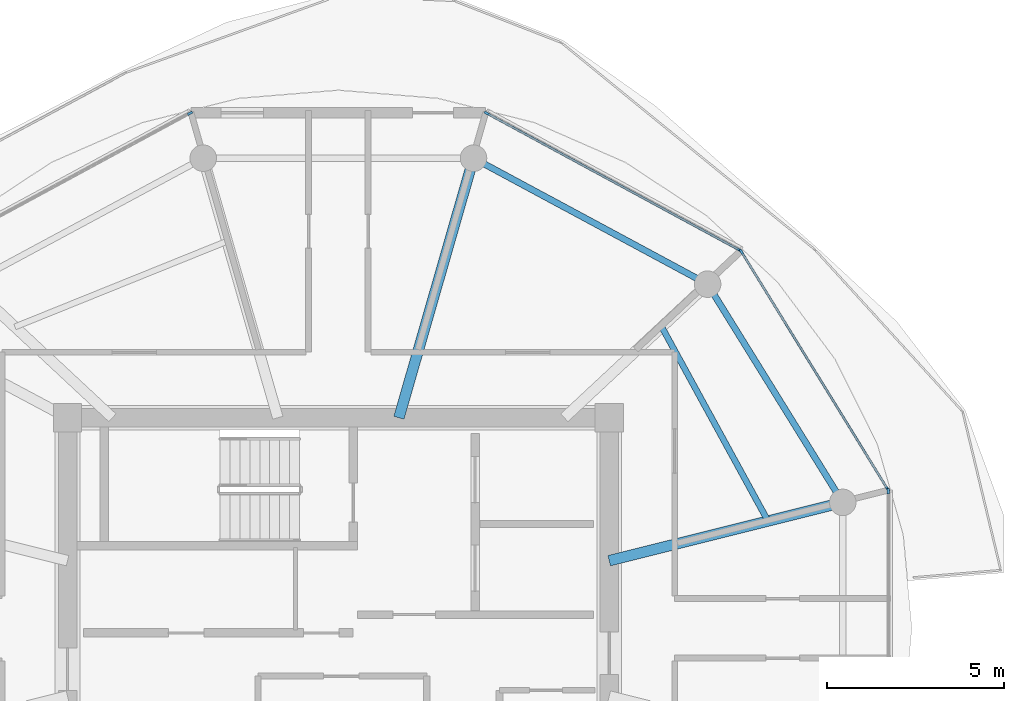
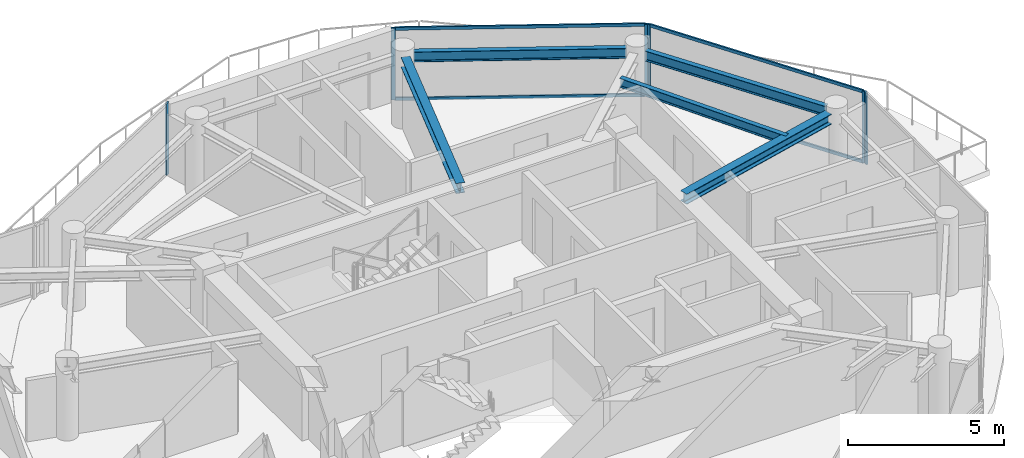
# One storey, part 11 of 23: 10 members, 5 beams, 4 elements without a shape of their own.
"""IFC4 building model written with IfcOpenShell, lengths in metres."""

from ifc_helpers import new_model, si_unit, direction, frame, origin, origin_2d, place, context, subcontext, project, spatial, rectangle, i_section, extrude, source, transform, mapped, material, layer, layer_set, material_profile, profile_set, type_object, type_shapes, element, aggregate, save


model = new_model("IFC4")

# Units and contexts
model_context = context("Model", 3, precision=1e-05, world=origin(), true_north=direction((0.0, 1.0)))
body_context = subcontext(model_context, "Body", "Model", "MODEL_VIEW")
ifc_project = project(units=[si_unit("LENGTHUNIT", "METRE"), si_unit("AREAUNIT", "SQUARE_METRE"), si_unit("VOLUMEUNIT", "CUBIC_METRE"), si_unit("PLANEANGLEUNIT", "RADIAN"), si_unit("MASSUNIT", "GRAM", prefix="KILO")], contexts=[model_context])

# Site, building, storey
site_placement = place(None, origin())
site = spatial("IfcSite", under=ifc_project, at=site_placement, CompositionType="ELEMENT")
building_placement = place(site_placement, origin())
building = spatial("IfcBuilding", under=site, at=building_placement, Name="Norrkilde Senior Care Towers", CompositionType="ELEMENT")
storey_placement = place(building_placement, frame((0.0, 0.0, 229.14990234375)))
storey = spatial("IfcBuildingStorey", under=building, at=storey_placement, Name="L71", CompositionType="ELEMENT", Elevation=229.14990234375)

# Beams
ifc_material_1 = material(Name="Steel S355", Category="steel")
ifc_material_profile_1 = material_profile(ifc_material_1, i_section(OverallWidth=0.179931640625, OverallDepth=0.39990234375, WebThickness=0.008544921875, FlangeThickness=0.013427734375, FilletRadius=0.02099609375, at=origin_2d()), Name="IPE 400")
ifc_profile_set_1 = profile_set([ifc_material_profile_1], Name="Steel S355")
beam_type_1 = type_object("IfcBeamType", Name="Perimeter Ring Spandrel Z4 IPE400", PredefinedType="SPANDREL", material=ifc_profile_set_1)
shared_shape_1 = source(origin(), body_context, "Body", "SweptSolid", [
    extrude(i_section(OverallWidth=0.179931640625, OverallDepth=0.39990234375, WebThickness=0.008544921875, FlangeThickness=0.013427734375, FilletRadius=0.02099609375, at=origin_2d()), origin(), (0.0, 0.0, 1.0), 6.58056640625),
])
beam_1_placement = place(storey_placement, frame((42.071044921875, 3.843505859375, 2.610107421875), z_axis=(-0.526529583789, 0.850156807533, 0.0), x_axis=(-0.850156807533, -0.526529583789, 0.0)))
element("IfcBeam", 1, at=beam_1_placement, inside=storey, type_object=beam_type_1, Name="L71 Drum E Perimeter Spandrel 01", PredefinedType="SPANDREL", context=body_context, shape_type="MappedRepresentation", body=[
    mapped(shared_shape_1, transform((0.0, 0.0, 0.0), x_axis=(1.0, 0.0, 0.0), y_axis=(0.0, 1.0, 0.0), z_axis=(0.0, 0.0, 1.0), scale=1.0)),
])
ifc_material_profile_2 = material_profile(ifc_material_1, i_section(OverallWidth=0.300048828125, OverallDepth=0.39990234375, WebThickness=0.013427734375, FlangeThickness=0.02392578125, FilletRadius=0.027099609375, at=origin_2d()), Name="HEB 400")
ifc_profile_set_2 = profile_set([ifc_material_profile_2], Name="Steel S355")
beam_type_2 = type_object("IfcBeamType", Name="Radial Floor Beam Z4 HEB400", PredefinedType="BEAM", material=ifc_profile_set_2)
shared_shape_2 = source(origin(), body_context, "Body", "SweptSolid", [
    extrude(i_section(OverallWidth=0.300048828125, OverallDepth=0.39990234375, WebThickness=0.013427734375, FlangeThickness=0.02392578125, FilletRadius=0.027099609375, at=origin_2d()), origin(), (0.0, 0.0, 1.0), 6.465087890625),
])
beam_2_placement = place(storey_placement, frame((35.64990234375, 1.910888671875, 2.610107421875), z_axis=(0.970195788563, 0.242322371758, 0.0), x_axis=(-0.242322371758, 0.970195788563, 0.0)))
element("IfcBeam", 2, at=beam_2_placement, inside=storey, type_object=beam_type_2, Name="L71 Drum E Radial Floor Beam 01", PredefinedType="BEAM", context=body_context, shape_type="MappedRepresentation", body=[
    mapped(shared_shape_2, transform((0.0, 0.0, 0.0), x_axis=(1.0, 0.0, 0.0), y_axis=(0.0, 1.0, 0.0), z_axis=(0.0, 0.0, 1.0), scale=1.0)),
])
shared_shape_3 = source(origin(), body_context, "Body", "SweptSolid", [
    extrude(i_section(OverallWidth=0.179931640625, OverallDepth=0.39990234375, WebThickness=0.008544921875, FlangeThickness=0.013427734375, FilletRadius=0.02099609375, at=origin_2d()), origin(), (0.0, 0.0, 1.0), 6.839111328125),
])
type_shapes(beam_type_1, [shared_shape_1, shared_shape_3])
beam_3_placement = place(storey_placement, frame((38.134765625, 9.881591796875, 2.610107421875), z_axis=(-0.880563930732, 0.473927382511, 0.0), x_axis=(-0.473927382511, -0.880563930732, 0.0)))
element("IfcBeam", 3, at=beam_3_placement, inside=storey, type_object=beam_type_1, Name="L71 Drum E Perimeter Spandrel 02", PredefinedType="SPANDREL", context=body_context, shape_type="MappedRepresentation", body=[
    mapped(shared_shape_3, transform((0.0, 0.0, 0.0), x_axis=(1.0, 0.0, 0.0), y_axis=(0.0, 1.0, 0.0), z_axis=(0.0, 0.0, 1.0), scale=1.0)),
])
shared_shape_4 = source(origin(), body_context, "Body", "SweptSolid", [
    extrude(i_section(OverallWidth=0.300048828125, OverallDepth=0.39990234375, WebThickness=0.013427734375, FlangeThickness=0.02392578125, FilletRadius=0.027099609375, at=origin_2d()), origin(), (0.0, 0.0, 1.0), 7.29345703125),
])
type_shapes(beam_type_2, [shared_shape_2, shared_shape_4])
beam_4_placement = place(storey_placement, frame((29.710205078125, 5.949951171875, 2.610107421875), z_axis=(0.276263751906, 0.961081858836, 0.0), x_axis=(-0.961081858836, 0.276263751906, 0.0)))
element("IfcBeam", 4, at=beam_4_placement, inside=storey, type_object=beam_type_2, Name="L71 Drum E Radial Floor Beam 03", PredefinedType="BEAM", context=body_context, shape_type="MappedRepresentation", body=[
    mapped(shared_shape_4, transform((0.0, 0.0, 0.0), x_axis=(1.0, 0.0, 0.0), y_axis=(0.0, 1.0, 0.0), z_axis=(0.0, 0.0, 1.0), scale=1.0)),
])
ifc_material_profile_3 = material_profile(ifc_material_1, i_section(OverallWidth=0.169921875, OverallDepth=0.360107421875, WebThickness=0.008056640625, FlangeThickness=0.0126953125, FilletRadius=0.01806640625, at=origin_2d()), Name="IPE 360")
ifc_profile_set_3 = profile_set([ifc_material_profile_3], Name="Steel S355")
beam_type_3 = type_object("IfcBeamType", Name="Secondary Floor Joist IPE360", PredefinedType="JOIST", material=ifc_profile_set_3)
shared_shape_5 = source(origin(), body_context, "Body", "SweptSolid", [
    extrude(i_section(OverallWidth=0.169921875, OverallDepth=0.360107421875, WebThickness=0.008056640625, FlangeThickness=0.0126953125, FilletRadius=0.01806640625, at=origin_2d()), origin(), (0.0, 0.0, 1.0), 6.25146484375),
])
type_shapes(beam_type_3, [shared_shape_5])
beam_5_placement = place(storey_placement, frame((40.13623046875, 3.031494140625, 2.630126953125), z_axis=(-0.480115752653, 0.877205143655, 0.0), x_axis=(-0.877205143655, -0.480115752653, 0.0)))
element("IfcBeam", 5, at=beam_5_placement, inside=storey, type_object=beam_type_3, Name="L71 Drum E Secondary Floor Joist 1", PredefinedType="JOIST", context=body_context, shape_type="MappedRepresentation", body=[
    mapped(shared_shape_5, transform((0.0, 0.0, 0.0), x_axis=(1.0, 0.0, 0.0), y_axis=(0.0, 1.0, 0.0), z_axis=(0.0, 0.0, 1.0), scale=1.0)),
])

# Curtain wall, members
ifc_material_2 = material(Name="Triple Low-E Insulated Glazing", Category="glass")
ifc_layer = layer(ifc_material_2, 0.18505859375)
ifc_layer_set = layer_set([ifc_layer], Name="Triple Low-E Insulated Glazing")
curtain_wall_type = type_object("IfcCurtainWallType", Name="CW6 Zone 4 Crown Pavilion Curtain Wall", PredefinedType="NOTDEFINED", material=ifc_layer_set)
curtain_wall_1_placement = place(storey_placement, origin())
curtain_wall_1 = element("IfcCurtainWall", 6, at=curtain_wall_1_placement, inside=storey, type_object=curtain_wall_type, Name="L71 Drum E Curtain Wall 00", PredefinedType="NOTDEFINED")
ifc_material_3 = material(Name="Anodised Aluminium", Category="aluminium")
ifc_material_profile_4 = material_profile(ifc_material_3, rectangle(XDim=0.06494140625, YDim=0.14990234375, at=origin_2d()), Name="ALU MULL 65x150")
ifc_profile_set_4 = profile_set([ifc_material_profile_4], Name="Anodised Aluminium")
member_type_1 = type_object("IfcMemberType", Name="Curtain Wall Mullion Z3-Z4 65x150", PredefinedType="MULLION", material=ifc_profile_set_4)
shared_shape_6 = source(origin(), body_context, "Body", "SweptSolid", [
    extrude(rectangle(XDim=0.06494140625, YDim=0.14990234375, at=origin_2d()), origin(), (0.0, 0.0, 1.0), 2.81005859375),
])
type_shapes(member_type_1, [shared_shape_6])
member_1_placement = place(storey_placement, frame((39.38720703125, 10.635498046875, 0.0), z_axis=(0.0, 0.0, 1.0), x_axis=(0.851562727283, 0.524252726748, 0.0)))
member_1 = element("IfcMember", 7, at=member_1_placement, type_object=member_type_1, Name="CW-6 mullion 1", PredefinedType="MULLION", context=body_context, shape_type="MappedRepresentation", body=[
    mapped(shared_shape_6, transform((0.0, 0.0, 0.0), x_axis=(1.0, 0.0, 0.0), y_axis=(0.0, 1.0, 0.0), z_axis=(0.0, 0.0, 1.0), scale=1.0)),
])
member_2_placement = place(storey_placement, frame((43.51513671875, 3.9306640625, 0.0), z_axis=(0.0, 0.0, 1.0), x_axis=(0.851562727283, 0.524252726748, 0.0)))
member_2 = element("IfcMember", 8, at=member_2_placement, type_object=member_type_1, Name="CW-6 mullion 2", PredefinedType="MULLION", context=body_context, shape_type="MappedRepresentation", body=[
    mapped(shared_shape_6, transform((0.0, 0.0, 0.0), x_axis=(1.0, 0.0, 0.0), y_axis=(0.0, 1.0, 0.0), z_axis=(0.0, 0.0, 1.0), scale=1.0)),
])

curtain_wall_2_placement = place(storey_placement, origin())
curtain_wall_2 = element("IfcCurtainWall", 9, at=curtain_wall_2_placement, inside=storey, type_object=curtain_wall_type, Name="L71 Drum E Curtain Wall 01", PredefinedType="NOTDEFINED")
member_3_placement = place(storey_placement, frame((32.1904296875, 14.55078125, 0.0), z_axis=(0.0, 0.0, 1.0), x_axis=(0.476132676136, 0.879373455772, 0.0)))
member_3 = element("IfcMember", 10, at=member_3_placement, type_object=member_type_1, Name="CW-6 mullion 1", PredefinedType="MULLION", context=body_context, shape_type="MappedRepresentation", body=[
    mapped(shared_shape_6, transform((0.0, 0.0, 0.0), x_axis=(1.0, 0.0, 0.0), y_axis=(0.0, 1.0, 0.0), z_axis=(0.0, 0.0, 1.0), scale=1.0)),
])
member_4_placement = place(storey_placement, frame((39.341796875, 10.6787109375, 0.0), z_axis=(0.0, 0.0, 1.0), x_axis=(0.476132676136, 0.879373455772, 0.0)))
member_4 = element("IfcMember", 11, at=member_4_placement, type_object=member_type_1, Name="CW-6 mullion 2", PredefinedType="MULLION", context=body_context, shape_type="MappedRepresentation", body=[
    mapped(shared_shape_6, transform((0.0, 0.0, 0.0), x_axis=(1.0, 0.0, 0.0), y_axis=(0.0, 1.0, 0.0), z_axis=(0.0, 0.0, 1.0), scale=1.0)),
])

# Curtain wall, member
curtain_wall_3_placement = place(storey_placement, origin())
curtain_wall_3 = element("IfcCurtainWall", 12, at=curtain_wall_3_placement, inside=storey, type_object=curtain_wall_type, Name="L71 Drum E Curtain Wall 03", PredefinedType="NOTDEFINED")
member_5_placement = place(storey_placement, frame((23.8095703125, 14.55078125, 0.0), z_axis=(0.0, 0.0, 1.0), x_axis=(-0.476132676136, 0.879373455772, 0.0)))
member_5 = element("IfcMember", 13, at=member_5_placement, type_object=member_type_1, Name="CW-6 mullion 2", PredefinedType="MULLION", context=body_context, shape_type="MappedRepresentation", body=[
    mapped(shared_shape_6, transform((0.0, 0.0, 0.0), x_axis=(1.0, 0.0, 0.0), y_axis=(0.0, 1.0, 0.0), z_axis=(0.0, 0.0, 1.0), scale=1.0)),
])
aggregate(curtain_wall_3, [member_5])

curtain_wall_4_placement = place(storey_placement, origin())
curtain_wall_4 = element("IfcCurtainWall", 14, at=curtain_wall_4_placement, inside=storey, type_object=curtain_wall_type, Name="L71 Drum E Curtain Wall 11", PredefinedType="NOTDEFINED")
member_6_placement = place(storey_placement, frame((43.531982421875, 3.87060546875, 0.0), z_axis=(0.0, 0.0, 1.0), x_axis=(1.0, 0.0, 0.0)))
member_6 = element("IfcMember", 15, at=member_6_placement, type_object=member_type_1, Name="CW-6 mullion 1", PredefinedType="MULLION", context=body_context, shape_type="MappedRepresentation", body=[
    mapped(shared_shape_6, transform((0.0, 0.0, 0.0), x_axis=(1.0, 0.0, 0.0), y_axis=(0.0, 1.0, 0.0), z_axis=(0.0, 0.0, 1.0), scale=1.0)),
])
aggregate(curtain_wall_4, [member_6])

# Member
ifc_material_profile_5 = material_profile(ifc_material_3, rectangle(XDim=0.06005859375, YDim=0.1201171875, at=origin_2d()), Name="ALU TRAN 60x120")
ifc_profile_set_5 = profile_set([ifc_material_profile_5], Name="Anodised Aluminium")
member_type_2 = type_object("IfcMemberType", Name="Curtain Wall Transom Typical 60x120", PredefinedType="USERDEFINED", material=ifc_profile_set_5)
shared_shape_7 = source(origin(), body_context, "Body", "SweptSolid", [
    extrude(rectangle(XDim=0.06005859375, YDim=0.1201171875, at=origin_2d()), origin(), (0.0, 0.0, 1.0), 7.808837890625),
])
member_7_placement = place(storey_placement, frame((39.404296875, 10.60791015625, 0.030029296875), z_axis=(0.524250924101, -0.851563837055, 0.0), x_axis=(0.851563837055, 0.524250924101, 0.0)))
member_7 = element("IfcMember", 16, at=member_7_placement, type_object=member_type_2, Name="CW-6 transom 1.1", ObjectType="TRANSOM", PredefinedType="USERDEFINED", context=body_context, shape_type="MappedRepresentation", body=[
    mapped(shared_shape_7, transform((0.0, 0.0, 0.0), x_axis=(1.0, 0.0, 0.0), y_axis=(0.0, 1.0, 0.0), z_axis=(0.0, 0.0, 1.0), scale=1.0)),
])

member_8_placement = place(storey_placement, frame((39.404296875, 10.60791015625, 2.780029296875), z_axis=(0.524250924101, -0.851563837055, 0.0), x_axis=(0.851563837055, 0.524250924101, 0.0)))
member_8 = element("IfcMember", 17, at=member_8_placement, type_object=member_type_2, Name="CW-6 transom 1.2", ObjectType="TRANSOM", PredefinedType="USERDEFINED", context=body_context, shape_type="MappedRepresentation", body=[
    mapped(shared_shape_7, transform((0.0, 0.0, 0.0), x_axis=(1.0, 0.0, 0.0), y_axis=(0.0, 1.0, 0.0), z_axis=(0.0, 0.0, 1.0), scale=1.0)),
])

aggregate(curtain_wall_1, [member_1, member_2, member_7, member_8])

shared_shape_8 = source(origin(), body_context, "Body", "SweptSolid", [
    extrude(rectangle(XDim=0.06005859375, YDim=0.1201171875, at=origin_2d()), origin(), (0.0, 0.0, 1.0), 8.0673828125),
])
type_shapes(member_type_2, [shared_shape_7, shared_shape_8])
member_9_placement = place(storey_placement, frame((32.218994140625, 14.53515625, 0.030029296875), z_axis=(0.87937750072, -0.476125205411, 0.0), x_axis=(0.476125205411, 0.87937750072, 0.0)))
member_9 = element("IfcMember", 18, at=member_9_placement, type_object=member_type_2, Name="CW-6 transom 1.1", ObjectType="TRANSOM", PredefinedType="USERDEFINED", context=body_context, shape_type="MappedRepresentation", body=[
    mapped(shared_shape_8, transform((0.0, 0.0, 0.0), x_axis=(1.0, 0.0, 0.0), y_axis=(0.0, 1.0, 0.0), z_axis=(0.0, 0.0, 1.0), scale=1.0)),
])

member_10_placement = place(storey_placement, frame((32.218994140625, 14.53515625, 2.780029296875), z_axis=(0.87937750072, -0.476125205411, 0.0), x_axis=(0.476125205411, 0.87937750072, 0.0)))
member_10 = element("IfcMember", 19, at=member_10_placement, type_object=member_type_2, Name="CW-6 transom 1.2", ObjectType="TRANSOM", PredefinedType="USERDEFINED", context=body_context, shape_type="MappedRepresentation", body=[
    mapped(shared_shape_8, transform((0.0, 0.0, 0.0), x_axis=(1.0, 0.0, 0.0), y_axis=(0.0, 1.0, 0.0), z_axis=(0.0, 0.0, 1.0), scale=1.0)),
])

aggregate(curtain_wall_2, [member_3, member_4, member_9, member_10])

save(model, "model.ifc")
